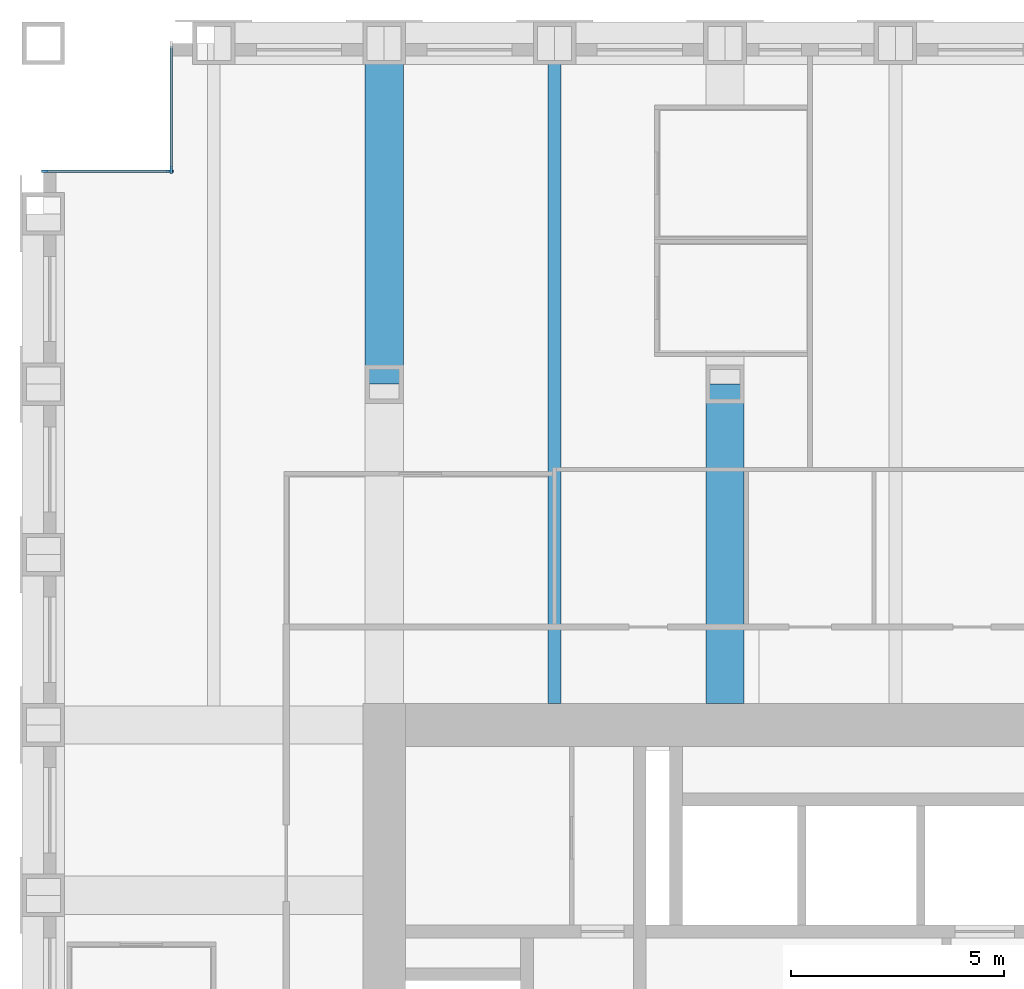
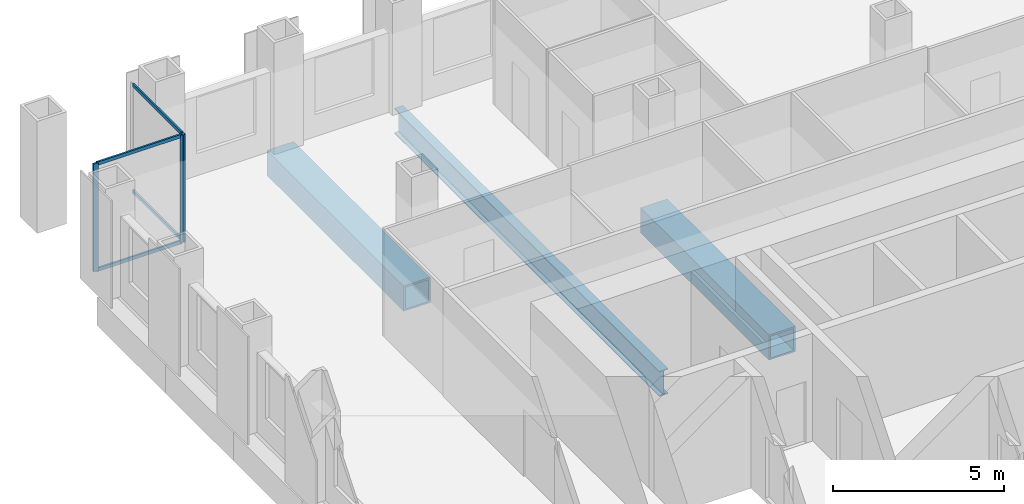
# One storey, part 6 of 16: 7 members, 3 beams, 2 elements without a shape of their own.
"""IFC4 building model written with IfcOpenShell, lengths in metres."""

from ifc_helpers import new_model, si_unit, direction, frame, origin, origin_2d, place, context, subcontext, project, spatial, rectangle, hollow_rectangle, i_section, extrude, material, material_profile, profile_set, type_object, element, aggregate, save


model = new_model("IFC4")

# Units and contexts
model_context = context("Model", 3, precision=1e-05, world=origin(), true_north=direction((0.0, 1.0)))
body_context = subcontext(model_context, "Body", "Model", "MODEL_VIEW")
ifc_project = project(units=[si_unit("LENGTHUNIT", "METRE"), si_unit("AREAUNIT", "SQUARE_METRE"), si_unit("VOLUMEUNIT", "CUBIC_METRE"), si_unit("PLANEANGLEUNIT", "RADIAN"), si_unit("MASSUNIT", "GRAM", prefix="KILO")], contexts=[model_context])

# Site, building, storey
site_placement = place(None, origin())
site = spatial("IfcSite", under=ifc_project, at=site_placement, CompositionType="ELEMENT")
building_placement = place(site_placement, origin())
building = spatial("IfcBuilding", under=site, at=building_placement, Name="Rimbunsela Tower", CompositionType="ELEMENT")
storey_placement = place(building_placement, frame((0.0, 0.0, 129.39990234375)))
storey = spatial("IfcBuildingStorey", under=building, at=storey_placement, Name="L31", CompositionType="ELEMENT", Elevation=129.39990234375)

# Beams
ifc_material_1 = material(Name="Steel BJ 55 (fy 410 MPa)", Category="steel")
ifc_material_profile_1 = material_profile(ifc_material_1, hollow_rectangle(XDim=0.89990234375, YDim=0.89990234375, WallThickness=0.06005859375, at=origin_2d()), Name="BOX 900x900x60")
ifc_profile_set_1 = profile_set([ifc_material_profile_1], Name="Steel BJ 55 (fy 410 MPa)")
beam_type_1 = type_object("IfcBeamType", Name="Beam BOX 900x900x60", PredefinedType="BEAM", material=ifc_profile_set_1)
beam_1_placement = place(storey_placement, frame((18.0, 44.0, -0.599853515625), z_axis=(0.0, 1.0, 0.0), x_axis=(-1.0, 0.0, 0.0)))
element("IfcBeam", 1, at=beam_1_placement, inside=storey, type_object=beam_type_1, Name="Beam B1 L31", PredefinedType="BEAM", context=body_context, shape_type="SweptSolid", body=[
    extrude(hollow_rectangle(XDim=0.89990234375, YDim=0.89990234375, WallThickness=0.06005859375, at=origin_2d()), origin(), (0.0, 0.0, 1.0), 8.0),
])
beam_2_placement = place(storey_placement, frame((26.0, 36.5, -0.599853515625), z_axis=(0.0, 1.0, 0.0), x_axis=(-1.0, 0.0, 0.0)))
element("IfcBeam", 2, at=beam_2_placement, inside=storey, type_object=beam_type_1, Name="Beam B1 L31", PredefinedType="BEAM", context=body_context, shape_type="SweptSolid", body=[
    extrude(hollow_rectangle(XDim=0.89990234375, YDim=0.89990234375, WallThickness=0.06005859375, at=origin_2d()), origin(), (0.0, 0.0, 1.0), 7.5),
])
ifc_material_2 = material(Name="Steel BJ 55 (fy 410 MPa)", Category="steel")
ifc_material_profile_2 = material_profile(ifc_material_2, i_section(OverallWidth=0.300048828125, OverallDepth=0.89990234375, WebThickness=0.01611328125, FlangeThickness=0.028076171875, FilletRadius=0.028076171875, at=origin_2d()), Name="H 900x300x16x28")
ifc_profile_set_2 = profile_set([ifc_material_profile_2], Name="Steel BJ 55 (fy 410 MPa)")
beam_type_2 = type_object("IfcBeamType", Name="Beam H 900x300x16x28", PredefinedType="BEAM", material=ifc_profile_set_2)
beam_3_placement = place(storey_placement, frame((22.0, 36.5, -0.599853515625), z_axis=(0.0, 1.0, 0.0), x_axis=(-1.0, 0.0, 0.0)))
element("IfcBeam", 3, at=beam_3_placement, inside=storey, type_object=beam_type_2, Name="Beam B2 L31", PredefinedType="BEAM", context=body_context, shape_type="SweptSolid", body=[
    extrude(i_section(OverallWidth=0.300048828125, OverallDepth=0.89990234375, WebThickness=0.01611328125, FlangeThickness=0.028076171875, FilletRadius=0.028076171875, at=origin_2d()), origin(), (0.0, 0.0, 1.0), 15.5),
])

# Curtain wall, member
ifc_material_3 = material(Name="Aluminium curtain wall", Category="aluminium")
curtain_wall_type = type_object("IfcCurtainWallType", Name="Corner glazing", PredefinedType="USERDEFINED", material=ifc_material_3)
curtain_wall_1_placement = place(storey_placement, origin())
curtain_wall_1 = element("IfcCurtainWall", 4, at=curtain_wall_1_placement, inside=storey, type_object=curtain_wall_type, Name="Corner glazing L31", ObjectType="CORNER GLAZING", PredefinedType="USERDEFINED")
ifc_material_4 = material(Name="Aluminium mullion", Category="aluminium")
ifc_material_profile_3 = material_profile(ifc_material_4, rectangle(XDim=0.06005859375, YDim=0.159912109375, at=origin_2d()), Name="Mullion 60x160")
ifc_profile_set_3 = profile_set([ifc_material_profile_3], Name="Aluminium mullion")
member_type_1 = type_object("IfcMemberType", Name="Curtain wall mullion 60x160", PredefinedType="MULLION", material=ifc_profile_set_3)
member_1_placement = place(storey_placement, frame((13.0, 49.030029296875, 0.0), z_axis=(0.0, 0.0, 1.0), x_axis=(1.0, 0.0, 0.0)))
member_1 = element("IfcMember", 5, at=member_1_placement, type_object=member_type_1, Name="CW5 mullion 2", PredefinedType="MULLION", context=body_context, shape_type="SweptSolid", body=[
    extrude(rectangle(XDim=0.06005859375, YDim=0.159912109375, at=origin_2d()), origin(), (0.0, 0.0, 1.0), 3.85009765625),
])

# Curtain wall, members
curtain_wall_2_placement = place(storey_placement, origin())
curtain_wall_2 = element("IfcCurtainWall", 6, at=curtain_wall_2_placement, inside=storey, type_object=curtain_wall_type, Name="Corner glazing L31", ObjectType="CORNER GLAZING", PredefinedType="USERDEFINED")
member_2_placement = place(storey_placement, frame((12.969970703125, 49.0, 0.0), z_axis=(0.0, 0.0, 1.0), x_axis=(0.0, -1.0, 0.0)))
member_2 = element("IfcMember", 7, at=member_2_placement, type_object=member_type_1, Name="CW5 mullion 1", PredefinedType="MULLION", context=body_context, shape_type="SweptSolid", body=[
    extrude(rectangle(XDim=0.06005859375, YDim=0.159912109375, at=origin_2d()), origin(), (0.0, 0.0, 1.0), 3.85009765625),
])
member_3_placement = place(storey_placement, frame((10.030029296875, 49.0, 0.0), z_axis=(0.0, 0.0, 1.0), x_axis=(0.0, -1.0, 0.0)))
member_3 = element("IfcMember", 8, at=member_3_placement, type_object=member_type_1, Name="CW5 mullion 2", PredefinedType="MULLION", context=body_context, shape_type="SweptSolid", body=[
    extrude(rectangle(XDim=0.06005859375, YDim=0.159912109375, at=origin_2d()), origin(), (0.0, 0.0, 1.0), 3.85009765625),
])

# Member
ifc_material_5 = material(Name="Aluminium transom", Category="aluminium")
ifc_material_profile_4 = material_profile(ifc_material_5, rectangle(XDim=0.06005859375, YDim=0.1201171875, at=origin_2d()), Name="Transom 60x120")
ifc_profile_set_4 = profile_set([ifc_material_profile_4], Name="Aluminium transom")
member_type_2 = type_object("IfcMemberType", Name="Curtain wall transom 60x120", PredefinedType="USERDEFINED", material=ifc_profile_set_4)
member_4_placement = place(storey_placement, frame((13.0, 51.93994140625, 0.030029296875), z_axis=(0.0, -1.0, 0.0), x_axis=(1.0, 0.0, 0.0)))
member_4 = element("IfcMember", 9, at=member_4_placement, type_object=member_type_2, Name="CW5 transom 1.1", ObjectType="TRANSOM", PredefinedType="USERDEFINED", context=body_context, shape_type="SweptSolid", body=[
    extrude(rectangle(XDim=0.06005859375, YDim=0.1201171875, at=origin_2d()), origin(), (0.0, 0.0, 1.0), 2.8798828125),
])

member_5_placement = place(storey_placement, frame((13.0, 51.93994140625, 3.820068359375), z_axis=(0.0, -1.0, 0.0), x_axis=(1.0, 0.0, 0.0)))
member_5 = element("IfcMember", 10, at=member_5_placement, type_object=member_type_2, Name="CW5 transom 1.2", ObjectType="TRANSOM", PredefinedType="USERDEFINED", context=body_context, shape_type="SweptSolid", body=[
    extrude(rectangle(XDim=0.06005859375, YDim=0.1201171875, at=origin_2d()), origin(), (0.0, 0.0, 1.0), 2.8798828125),
])

aggregate(curtain_wall_1, [member_1, member_4, member_5])

member_6_placement = place(storey_placement, frame((12.93994140625, 49.0, 0.030029296875), z_axis=(-1.0, 0.0, 0.0), x_axis=(0.0, -1.0, 0.0)))
member_6 = element("IfcMember", 11, at=member_6_placement, type_object=member_type_2, Name="CW5 transom 1.1", ObjectType="TRANSOM", PredefinedType="USERDEFINED", context=body_context, shape_type="SweptSolid", body=[
    extrude(rectangle(XDim=0.06005859375, YDim=0.1201171875, at=origin_2d()), origin(), (0.0, 0.0, 1.0), 2.8798828125),
])

member_7_placement = place(storey_placement, frame((12.93994140625, 49.0, 3.820068359375), z_axis=(-1.0, 0.0, 0.0), x_axis=(0.0, -1.0, 0.0)))
member_7 = element("IfcMember", 12, at=member_7_placement, type_object=member_type_2, Name="CW5 transom 1.2", ObjectType="TRANSOM", PredefinedType="USERDEFINED", context=body_context, shape_type="SweptSolid", body=[
    extrude(rectangle(XDim=0.06005859375, YDim=0.1201171875, at=origin_2d()), origin(), (0.0, 0.0, 1.0), 2.8798828125),
])

aggregate(curtain_wall_2, [member_2, member_3, member_6, member_7])

save(model, "model.ifc")
